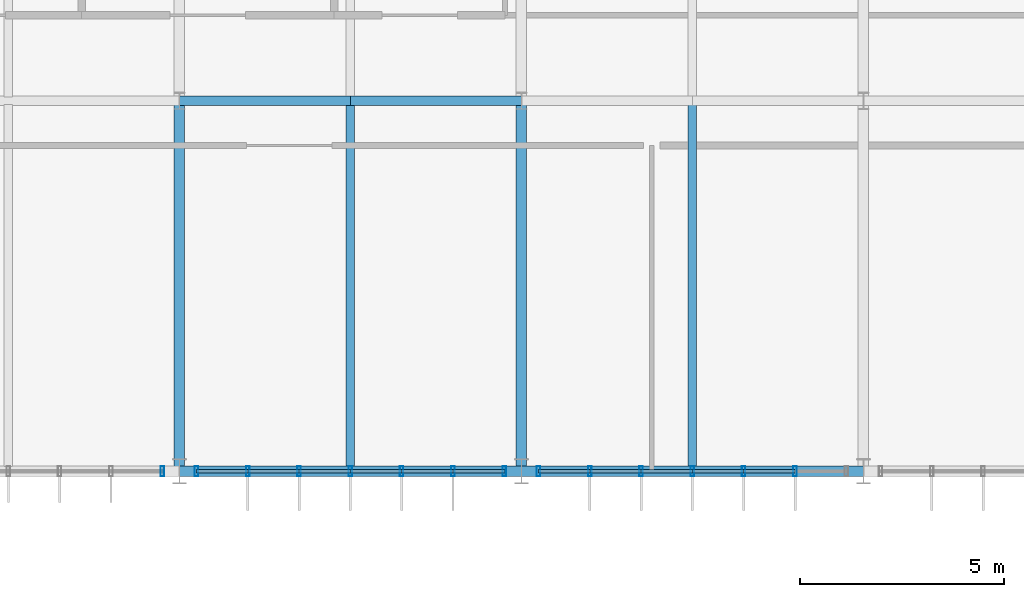
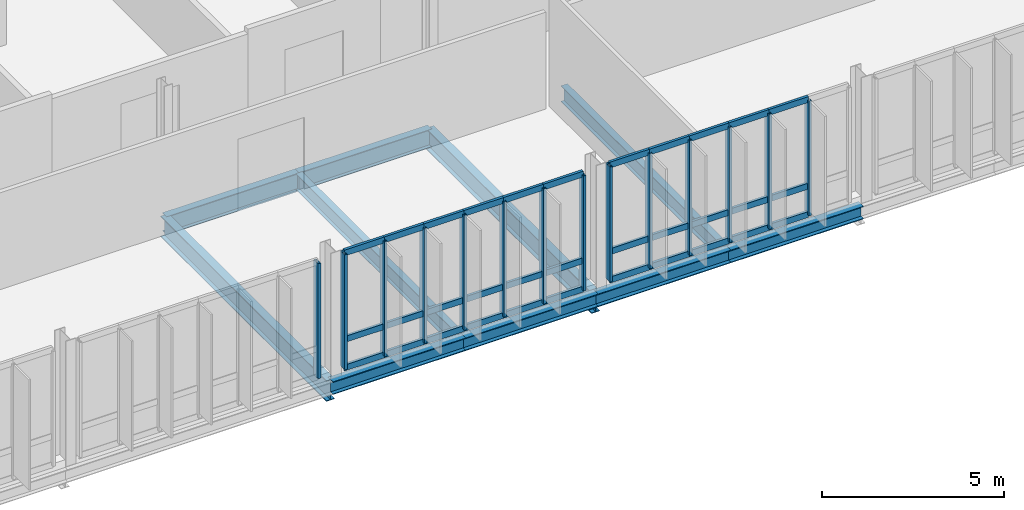
# One storey, part 35 of 107: 47 members, 10 beams, 3 elements without a shape of their own.
"""IFC4 building model written with IfcOpenShell, lengths in metres."""

from ifc_helpers import new_model, si_unit, derived_unit, direction, frame, origin, origin_2d, place, context, subcontext, project, spatial, hollow_rectangle, i_section, extrude, material, layer, layer_set, material_profile, profile_set, type_object, element, aggregate, save


model = new_model("IFC4")

# Units and contexts
model_context = context("Model", 3, precision=1e-05, world=origin(), true_north=direction((0.0, 1.0)))
body_context = subcontext(model_context, "Body", "Model", "MODEL_VIEW")
ifc_project = project(units=[si_unit("LENGTHUNIT", "METRE"), si_unit("AREAUNIT", "SQUARE_METRE"), si_unit("VOLUMEUNIT", "CUBIC_METRE"), si_unit("PLANEANGLEUNIT", "RADIAN"), si_unit("MASSUNIT", "GRAM", prefix="KILO"), derived_unit("THERMALTRANSMITTANCEUNIT", [(si_unit("MASSUNIT", "GRAM", prefix="KILO"), 1), (si_unit("TIMEUNIT", "SECOND"), -3), (si_unit("THERMODYNAMICTEMPERATUREUNIT", "KELVIN"), -1)])], contexts=[model_context])

# Site, building, storey
site_placement = place(None, origin())
site = spatial("IfcSite", under=ifc_project, at=site_placement, CompositionType="ELEMENT")
building_placement = place(site_placement, origin())
building = spatial("IfcBuilding", under=site, at=building_placement, Name="Makaiwela Harbour Ferry Terminal", CompositionType="ELEMENT")
storey_placement = place(building_placement, frame((0.0, 0.0, 9.60009765625)))
storey = spatial("IfcBuildingStorey", under=building, at=storey_placement, Name="L02", CompositionType="ELEMENT", Elevation=9.60009765625)

# Curtain wall, member
ifc_material_1 = material(Name="Marine anodised aluminium 6063-T6", Category="aluminium")
ifc_layer = layer(ifc_material_1, 0.199951171875)
ifc_layer_set = layer_set([ifc_layer], Name="Marine anodised aluminium 6063-T6")
curtain_wall_type = type_object("IfcCurtainWallType", Name="ENV-CW-09", PredefinedType="USERDEFINED", material=ifc_layer_set)
curtain_wall_1_placement = place(storey_placement, origin())
curtain_wall_1 = element("IfcCurtainWall", 1, at=curtain_wall_1_placement, inside=storey, type_object=curtain_wall_type, Name="Unitised Curtain Wall CWA-081", ObjectType="UNITIZED CURTAIN WALL", PredefinedType="USERDEFINED")
ifc_material_profile_1 = material_profile(ifc_material_1, hollow_rectangle(XDim=0.0849609375, YDim=0.25, WallThickness=0.0048828125, at=origin_2d()), Name="CWM-250X85")
ifc_profile_set_1 = profile_set([ifc_material_profile_1], Name="Marine anodised aluminium 6063-T6")
member_type_1 = type_object("IfcMemberType", Name="CW-MUL-250", PredefinedType="MULLION", material=ifc_profile_set_1)
member_1_placement = place(storey_placement, frame((96.179931640625, 49.39990234375, 0.0), z_axis=(0.0, 0.0, 1.0), x_axis=(1.0, 0.0, 0.0)))
member_1 = element("IfcMember", 2, at=member_1_placement, type_object=member_type_1, Name="Curtain Wall Mullion CWA-081-1", PredefinedType="MULLION", context=body_context, shape_type="SweptSolid", body=[
    extrude(hollow_rectangle(XDim=0.0849609375, YDim=0.25, WallThickness=0.0048828125, at=origin_2d()), origin(), (0.0, 0.0, 1.0), 3.849853515625),
])
aggregate(curtain_wall_1, [member_1])

# Curtain wall, members
curtain_wall_2_placement = place(storey_placement, origin())
curtain_wall_2 = element("IfcCurtainWall", 3, at=curtain_wall_2_placement, inside=storey, type_object=curtain_wall_type, Name="Unitised Curtain Wall CWA-083", ObjectType="UNITIZED CURTAIN WALL", PredefinedType="USERDEFINED")
member_2_placement = place(storey_placement, frame((104.580078125, 49.39990234375, 0.0), z_axis=(0.0, 0.0, 1.0), x_axis=(1.0, 0.0, 0.0)))
member_2 = element("IfcMember", 4, at=member_2_placement, type_object=member_type_1, Name="Curtain Wall Mullion CWA-083-1", PredefinedType="MULLION", context=body_context, shape_type="SweptSolid", body=[
    extrude(hollow_rectangle(XDim=0.0849609375, YDim=0.25, WallThickness=0.0048828125, at=origin_2d()), origin(), (0.0, 0.0, 1.0), 3.849853515625),
])
member_3_placement = place(storey_placement, frame((103.320068359375, 49.39990234375, 0.0), z_axis=(0.0, 0.0, 1.0), x_axis=(1.0, 0.0, 0.0)))
member_3 = element("IfcMember", 5, at=member_3_placement, type_object=member_type_1, Name="Curtain Wall Mullion CWA-083-2", PredefinedType="MULLION", context=body_context, shape_type="SweptSolid", body=[
    extrude(hollow_rectangle(XDim=0.0849609375, YDim=0.25, WallThickness=0.0048828125, at=origin_2d()), origin(), (0.0, 0.0, 1.0), 3.849853515625),
])
member_4_placement = place(storey_placement, frame((102.06005859375, 49.39990234375, 0.0), z_axis=(0.0, 0.0, 1.0), x_axis=(1.0, 0.0, 0.0)))
member_4 = element("IfcMember", 6, at=member_4_placement, type_object=member_type_1, Name="Curtain Wall Mullion CWA-083-3", PredefinedType="MULLION", context=body_context, shape_type="SweptSolid", body=[
    extrude(hollow_rectangle(XDim=0.0849609375, YDim=0.25, WallThickness=0.0048828125, at=origin_2d()), origin(), (0.0, 0.0, 1.0), 3.849853515625),
])
member_5_placement = place(storey_placement, frame((100.800048828125, 49.39990234375, 0.0), z_axis=(0.0, 0.0, 1.0), x_axis=(1.0, 0.0, 0.0)))
member_5 = element("IfcMember", 7, at=member_5_placement, type_object=member_type_1, Name="Curtain Wall Mullion CWA-083-4", PredefinedType="MULLION", context=body_context, shape_type="SweptSolid", body=[
    extrude(hollow_rectangle(XDim=0.0849609375, YDim=0.25, WallThickness=0.0048828125, at=origin_2d()), origin(), (0.0, 0.0, 1.0), 3.849853515625),
])
member_6_placement = place(storey_placement, frame((99.5400390625, 49.39990234375, 0.0), z_axis=(0.0, 0.0, 1.0), x_axis=(1.0, 0.0, 0.0)))
member_6 = element("IfcMember", 8, at=member_6_placement, type_object=member_type_1, Name="Curtain Wall Mullion CWA-083-5", PredefinedType="MULLION", context=body_context, shape_type="SweptSolid", body=[
    extrude(hollow_rectangle(XDim=0.0849609375, YDim=0.25, WallThickness=0.0048828125, at=origin_2d()), origin(), (0.0, 0.0, 1.0), 3.849853515625),
])
member_7_placement = place(storey_placement, frame((98.280029296875, 49.39990234375, 0.0), z_axis=(0.0, 0.0, 1.0), x_axis=(1.0, 0.0, 0.0)))
member_7 = element("IfcMember", 9, at=member_7_placement, type_object=member_type_1, Name="Curtain Wall Mullion CWA-083-6", PredefinedType="MULLION", context=body_context, shape_type="SweptSolid", body=[
    extrude(hollow_rectangle(XDim=0.0849609375, YDim=0.25, WallThickness=0.0048828125, at=origin_2d()), origin(), (0.0, 0.0, 1.0), 3.849853515625),
])
member_8_placement = place(storey_placement, frame((97.02001953125, 49.39990234375, 0.0), z_axis=(0.0, 0.0, 1.0), x_axis=(1.0, 0.0, 0.0)))
member_8 = element("IfcMember", 10, at=member_8_placement, type_object=member_type_1, Name="Curtain Wall Mullion CWA-083-7", PredefinedType="MULLION", context=body_context, shape_type="SweptSolid", body=[
    extrude(hollow_rectangle(XDim=0.0849609375, YDim=0.25, WallThickness=0.0048828125, at=origin_2d()), origin(), (0.0, 0.0, 1.0), 3.849853515625),
])

curtain_wall_3_placement = place(storey_placement, origin())
curtain_wall_3 = element("IfcCurtainWall", 11, at=curtain_wall_3_placement, inside=storey, type_object=curtain_wall_type, Name="Unitised Curtain Wall CWA-086", ObjectType="UNITIZED CURTAIN WALL", PredefinedType="USERDEFINED")
member_9_placement = place(storey_placement, frame((111.719970703125, 49.39990234375, 0.0), z_axis=(0.0, 0.0, 1.0), x_axis=(1.0, 0.0, 0.0)))
member_9 = element("IfcMember", 12, at=member_9_placement, type_object=member_type_1, Name="Curtain Wall Mullion CWA-086-2", PredefinedType="MULLION", context=body_context, shape_type="SweptSolid", body=[
    extrude(hollow_rectangle(XDim=0.0849609375, YDim=0.25, WallThickness=0.0048828125, at=origin_2d()), origin(), (0.0, 0.0, 1.0), 3.849853515625),
])
member_10_placement = place(storey_placement, frame((110.4599609375, 49.39990234375, 0.0), z_axis=(0.0, 0.0, 1.0), x_axis=(1.0, 0.0, 0.0)))
member_10 = element("IfcMember", 13, at=member_10_placement, type_object=member_type_1, Name="Curtain Wall Mullion CWA-086-3", PredefinedType="MULLION", context=body_context, shape_type="SweptSolid", body=[
    extrude(hollow_rectangle(XDim=0.0849609375, YDim=0.25, WallThickness=0.0048828125, at=origin_2d()), origin(), (0.0, 0.0, 1.0), 3.849853515625),
])
member_11_placement = place(storey_placement, frame((109.199951171875, 49.39990234375, 0.0), z_axis=(0.0, 0.0, 1.0), x_axis=(1.0, 0.0, 0.0)))
member_11 = element("IfcMember", 14, at=member_11_placement, type_object=member_type_1, Name="Curtain Wall Mullion CWA-086-4", PredefinedType="MULLION", context=body_context, shape_type="SweptSolid", body=[
    extrude(hollow_rectangle(XDim=0.0849609375, YDim=0.25, WallThickness=0.0048828125, at=origin_2d()), origin(), (0.0, 0.0, 1.0), 3.849853515625),
])
member_12_placement = place(storey_placement, frame((107.93994140625, 49.39990234375, 0.0), z_axis=(0.0, 0.0, 1.0), x_axis=(1.0, 0.0, 0.0)))
member_12 = element("IfcMember", 15, at=member_12_placement, type_object=member_type_1, Name="Curtain Wall Mullion CWA-086-5", PredefinedType="MULLION", context=body_context, shape_type="SweptSolid", body=[
    extrude(hollow_rectangle(XDim=0.0849609375, YDim=0.25, WallThickness=0.0048828125, at=origin_2d()), origin(), (0.0, 0.0, 1.0), 3.849853515625),
])
member_13_placement = place(storey_placement, frame((106.679931640625, 49.39990234375, 0.0), z_axis=(0.0, 0.0, 1.0), x_axis=(1.0, 0.0, 0.0)))
member_13 = element("IfcMember", 16, at=member_13_placement, type_object=member_type_1, Name="Curtain Wall Mullion CWA-086-6", PredefinedType="MULLION", context=body_context, shape_type="SweptSolid", body=[
    extrude(hollow_rectangle(XDim=0.0849609375, YDim=0.25, WallThickness=0.0048828125, at=origin_2d()), origin(), (0.0, 0.0, 1.0), 3.849853515625),
])
member_14_placement = place(storey_placement, frame((105.419921875, 49.39990234375, 0.0), z_axis=(0.0, 0.0, 1.0), x_axis=(1.0, 0.0, 0.0)))
member_14 = element("IfcMember", 17, at=member_14_placement, type_object=member_type_1, Name="Curtain Wall Mullion CWA-086-7", PredefinedType="MULLION", context=body_context, shape_type="SweptSolid", body=[
    extrude(hollow_rectangle(XDim=0.0849609375, YDim=0.25, WallThickness=0.0048828125, at=origin_2d()), origin(), (0.0, 0.0, 1.0), 3.849853515625),
])

# Member
ifc_material_profile_2 = material_profile(ifc_material_1, hollow_rectangle(XDim=0.0849609375, YDim=0.199951171875, WallThickness=0.0048828125, at=origin_2d()), Name="CWT-200X85")
ifc_profile_set_2 = profile_set([ifc_material_profile_2], Name="Marine anodised aluminium 6063-T6")
member_type_2 = type_object("IfcMemberType", Name="CW-TRN-200", PredefinedType="USERDEFINED", material=ifc_profile_set_2)
member_15_placement = place(storey_placement, frame((104.580078125, 49.39990234375, 0.0), z_axis=(-1.0, 0.0, 0.0), x_axis=(0.0, -1.0, 0.0)))
member_15 = element("IfcMember", 18, at=member_15_placement, type_object=member_type_2, Name="Curtain Wall Transom CWA-083-1-1", ObjectType="TRANSOM", PredefinedType="USERDEFINED", context=body_context, shape_type="SweptSolid", body=[
    extrude(hollow_rectangle(XDim=0.0849609375, YDim=0.199951171875, WallThickness=0.0048828125, at=origin_2d()), origin(), (0.0, 0.0, 1.0), 1.260009765625),
])

member_16_placement = place(storey_placement, frame((104.580078125, 49.39990234375, 0.949951171875), z_axis=(-1.0, 0.0, 0.0), x_axis=(0.0, -1.0, 0.0)))
member_16 = element("IfcMember", 19, at=member_16_placement, type_object=member_type_2, Name="Curtain Wall Transom CWA-083-1-2", ObjectType="TRANSOM", PredefinedType="USERDEFINED", context=body_context, shape_type="SweptSolid", body=[
    extrude(hollow_rectangle(XDim=0.0849609375, YDim=0.199951171875, WallThickness=0.0048828125, at=origin_2d()), origin(), (0.0, 0.0, 1.0), 1.260009765625),
])

member_17_placement = place(storey_placement, frame((104.580078125, 49.39990234375, 3.849853515625), z_axis=(-1.0, 0.0, 0.0), x_axis=(0.0, -1.0, 0.0)))
member_17 = element("IfcMember", 20, at=member_17_placement, type_object=member_type_2, Name="Curtain Wall Transom CWA-083-1-3", ObjectType="TRANSOM", PredefinedType="USERDEFINED", context=body_context, shape_type="SweptSolid", body=[
    extrude(hollow_rectangle(XDim=0.0849609375, YDim=0.199951171875, WallThickness=0.0048828125, at=origin_2d()), origin(), (0.0, 0.0, 1.0), 1.260009765625),
])

member_18_placement = place(storey_placement, frame((103.320068359375, 49.39990234375, 0.0), z_axis=(-1.0, 0.0, 0.0), x_axis=(0.0, -1.0, 0.0)))
member_18 = element("IfcMember", 21, at=member_18_placement, type_object=member_type_2, Name="Curtain Wall Transom CWA-083-2-1", ObjectType="TRANSOM", PredefinedType="USERDEFINED", context=body_context, shape_type="SweptSolid", body=[
    extrude(hollow_rectangle(XDim=0.0849609375, YDim=0.199951171875, WallThickness=0.0048828125, at=origin_2d()), origin(), (0.0, 0.0, 1.0), 1.260009765625),
])

member_19_placement = place(storey_placement, frame((103.320068359375, 49.39990234375, 0.949951171875), z_axis=(-1.0, 0.0, 0.0), x_axis=(0.0, -1.0, 0.0)))
member_19 = element("IfcMember", 22, at=member_19_placement, type_object=member_type_2, Name="Curtain Wall Transom CWA-083-2-2", ObjectType="TRANSOM", PredefinedType="USERDEFINED", context=body_context, shape_type="SweptSolid", body=[
    extrude(hollow_rectangle(XDim=0.0849609375, YDim=0.199951171875, WallThickness=0.0048828125, at=origin_2d()), origin(), (0.0, 0.0, 1.0), 1.260009765625),
])

member_20_placement = place(storey_placement, frame((103.320068359375, 49.39990234375, 3.849853515625), z_axis=(-1.0, 0.0, 0.0), x_axis=(0.0, -1.0, 0.0)))
member_20 = element("IfcMember", 23, at=member_20_placement, type_object=member_type_2, Name="Curtain Wall Transom CWA-083-2-3", ObjectType="TRANSOM", PredefinedType="USERDEFINED", context=body_context, shape_type="SweptSolid", body=[
    extrude(hollow_rectangle(XDim=0.0849609375, YDim=0.199951171875, WallThickness=0.0048828125, at=origin_2d()), origin(), (0.0, 0.0, 1.0), 1.260009765625),
])

member_21_placement = place(storey_placement, frame((102.06005859375, 49.39990234375, 0.0), z_axis=(-1.0, 0.0, 0.0), x_axis=(0.0, -1.0, 0.0)))
member_21 = element("IfcMember", 24, at=member_21_placement, type_object=member_type_2, Name="Curtain Wall Transom CWA-083-3-1", ObjectType="TRANSOM", PredefinedType="USERDEFINED", context=body_context, shape_type="SweptSolid", body=[
    extrude(hollow_rectangle(XDim=0.0849609375, YDim=0.199951171875, WallThickness=0.0048828125, at=origin_2d()), origin(), (0.0, 0.0, 1.0), 1.260009765625),
])

member_22_placement = place(storey_placement, frame((102.06005859375, 49.39990234375, 0.949951171875), z_axis=(-1.0, 0.0, 0.0), x_axis=(0.0, -1.0, 0.0)))
member_22 = element("IfcMember", 25, at=member_22_placement, type_object=member_type_2, Name="Curtain Wall Transom CWA-083-3-2", ObjectType="TRANSOM", PredefinedType="USERDEFINED", context=body_context, shape_type="SweptSolid", body=[
    extrude(hollow_rectangle(XDim=0.0849609375, YDim=0.199951171875, WallThickness=0.0048828125, at=origin_2d()), origin(), (0.0, 0.0, 1.0), 1.260009765625),
])

member_23_placement = place(storey_placement, frame((102.06005859375, 49.39990234375, 3.849853515625), z_axis=(-1.0, 0.0, 0.0), x_axis=(0.0, -1.0, 0.0)))
member_23 = element("IfcMember", 26, at=member_23_placement, type_object=member_type_2, Name="Curtain Wall Transom CWA-083-3-3", ObjectType="TRANSOM", PredefinedType="USERDEFINED", context=body_context, shape_type="SweptSolid", body=[
    extrude(hollow_rectangle(XDim=0.0849609375, YDim=0.199951171875, WallThickness=0.0048828125, at=origin_2d()), origin(), (0.0, 0.0, 1.0), 1.260009765625),
])

member_24_placement = place(storey_placement, frame((100.800048828125, 49.39990234375, 0.0), z_axis=(-1.0, 0.0, 0.0), x_axis=(0.0, -1.0, 0.0)))
member_24 = element("IfcMember", 27, at=member_24_placement, type_object=member_type_2, Name="Curtain Wall Transom CWA-083-4-1", ObjectType="TRANSOM", PredefinedType="USERDEFINED", context=body_context, shape_type="SweptSolid", body=[
    extrude(hollow_rectangle(XDim=0.0849609375, YDim=0.199951171875, WallThickness=0.0048828125, at=origin_2d()), origin(), (0.0, 0.0, 1.0), 1.260009765625),
])

member_25_placement = place(storey_placement, frame((100.800048828125, 49.39990234375, 0.949951171875), z_axis=(-1.0, 0.0, 0.0), x_axis=(0.0, -1.0, 0.0)))
member_25 = element("IfcMember", 28, at=member_25_placement, type_object=member_type_2, Name="Curtain Wall Transom CWA-083-4-2", ObjectType="TRANSOM", PredefinedType="USERDEFINED", context=body_context, shape_type="SweptSolid", body=[
    extrude(hollow_rectangle(XDim=0.0849609375, YDim=0.199951171875, WallThickness=0.0048828125, at=origin_2d()), origin(), (0.0, 0.0, 1.0), 1.260009765625),
])

member_26_placement = place(storey_placement, frame((100.800048828125, 49.39990234375, 3.849853515625), z_axis=(-1.0, 0.0, 0.0), x_axis=(0.0, -1.0, 0.0)))
member_26 = element("IfcMember", 29, at=member_26_placement, type_object=member_type_2, Name="Curtain Wall Transom CWA-083-4-3", ObjectType="TRANSOM", PredefinedType="USERDEFINED", context=body_context, shape_type="SweptSolid", body=[
    extrude(hollow_rectangle(XDim=0.0849609375, YDim=0.199951171875, WallThickness=0.0048828125, at=origin_2d()), origin(), (0.0, 0.0, 1.0), 1.260009765625),
])

member_27_placement = place(storey_placement, frame((99.5400390625, 49.39990234375, 0.0), z_axis=(-1.0, 0.0, 0.0), x_axis=(0.0, -1.0, 0.0)))
member_27 = element("IfcMember", 30, at=member_27_placement, type_object=member_type_2, Name="Curtain Wall Transom CWA-083-5-1", ObjectType="TRANSOM", PredefinedType="USERDEFINED", context=body_context, shape_type="SweptSolid", body=[
    extrude(hollow_rectangle(XDim=0.0849609375, YDim=0.199951171875, WallThickness=0.0048828125, at=origin_2d()), origin(), (0.0, 0.0, 1.0), 1.260009765625),
])

member_28_placement = place(storey_placement, frame((99.5400390625, 49.39990234375, 0.949951171875), z_axis=(-1.0, 0.0, 0.0), x_axis=(0.0, -1.0, 0.0)))
member_28 = element("IfcMember", 31, at=member_28_placement, type_object=member_type_2, Name="Curtain Wall Transom CWA-083-5-2", ObjectType="TRANSOM", PredefinedType="USERDEFINED", context=body_context, shape_type="SweptSolid", body=[
    extrude(hollow_rectangle(XDim=0.0849609375, YDim=0.199951171875, WallThickness=0.0048828125, at=origin_2d()), origin(), (0.0, 0.0, 1.0), 1.260009765625),
])

member_29_placement = place(storey_placement, frame((99.5400390625, 49.39990234375, 3.849853515625), z_axis=(-1.0, 0.0, 0.0), x_axis=(0.0, -1.0, 0.0)))
member_29 = element("IfcMember", 32, at=member_29_placement, type_object=member_type_2, Name="Curtain Wall Transom CWA-083-5-3", ObjectType="TRANSOM", PredefinedType="USERDEFINED", context=body_context, shape_type="SweptSolid", body=[
    extrude(hollow_rectangle(XDim=0.0849609375, YDim=0.199951171875, WallThickness=0.0048828125, at=origin_2d()), origin(), (0.0, 0.0, 1.0), 1.260009765625),
])

member_30_placement = place(storey_placement, frame((98.280029296875, 49.39990234375, 0.0), z_axis=(-1.0, 0.0, 0.0), x_axis=(0.0, -1.0, 0.0)))
member_30 = element("IfcMember", 33, at=member_30_placement, type_object=member_type_2, Name="Curtain Wall Transom CWA-083-6-1", ObjectType="TRANSOM", PredefinedType="USERDEFINED", context=body_context, shape_type="SweptSolid", body=[
    extrude(hollow_rectangle(XDim=0.0849609375, YDim=0.199951171875, WallThickness=0.0048828125, at=origin_2d()), origin(), (0.0, 0.0, 1.0), 1.260009765625),
])

member_31_placement = place(storey_placement, frame((98.280029296875, 49.39990234375, 0.949951171875), z_axis=(-1.0, 0.0, 0.0), x_axis=(0.0, -1.0, 0.0)))
member_31 = element("IfcMember", 34, at=member_31_placement, type_object=member_type_2, Name="Curtain Wall Transom CWA-083-6-2", ObjectType="TRANSOM", PredefinedType="USERDEFINED", context=body_context, shape_type="SweptSolid", body=[
    extrude(hollow_rectangle(XDim=0.0849609375, YDim=0.199951171875, WallThickness=0.0048828125, at=origin_2d()), origin(), (0.0, 0.0, 1.0), 1.260009765625),
])

member_32_placement = place(storey_placement, frame((98.280029296875, 49.39990234375, 3.849853515625), z_axis=(-1.0, 0.0, 0.0), x_axis=(0.0, -1.0, 0.0)))
member_32 = element("IfcMember", 35, at=member_32_placement, type_object=member_type_2, Name="Curtain Wall Transom CWA-083-6-3", ObjectType="TRANSOM", PredefinedType="USERDEFINED", context=body_context, shape_type="SweptSolid", body=[
    extrude(hollow_rectangle(XDim=0.0849609375, YDim=0.199951171875, WallThickness=0.0048828125, at=origin_2d()), origin(), (0.0, 0.0, 1.0), 1.260009765625),
])

aggregate(curtain_wall_2, [member_2, member_3, member_4, member_5, member_6, member_7, member_8, member_15, member_16, member_17, member_18, member_19, member_20, member_21, member_22, member_23, member_24, member_25, member_26, member_27, member_28, member_29, member_30, member_31, member_32])

member_33_placement = place(storey_placement, frame((111.719970703125, 49.39990234375, 0.0), z_axis=(-1.0, 0.0, 0.0), x_axis=(0.0, -1.0, 0.0)))
member_33 = element("IfcMember", 36, at=member_33_placement, type_object=member_type_2, Name="Curtain Wall Transom CWA-086-2-1", ObjectType="TRANSOM", PredefinedType="USERDEFINED", context=body_context, shape_type="SweptSolid", body=[
    extrude(hollow_rectangle(XDim=0.0849609375, YDim=0.199951171875, WallThickness=0.0048828125, at=origin_2d()), origin(), (0.0, 0.0, 1.0), 1.260009765625),
])

member_34_placement = place(storey_placement, frame((111.719970703125, 49.39990234375, 0.949951171875), z_axis=(-1.0, 0.0, 0.0), x_axis=(0.0, -1.0, 0.0)))
member_34 = element("IfcMember", 37, at=member_34_placement, type_object=member_type_2, Name="Curtain Wall Transom CWA-086-2-2", ObjectType="TRANSOM", PredefinedType="USERDEFINED", context=body_context, shape_type="SweptSolid", body=[
    extrude(hollow_rectangle(XDim=0.0849609375, YDim=0.199951171875, WallThickness=0.0048828125, at=origin_2d()), origin(), (0.0, 0.0, 1.0), 1.260009765625),
])

member_35_placement = place(storey_placement, frame((111.719970703125, 49.39990234375, 3.849853515625), z_axis=(-1.0, 0.0, 0.0), x_axis=(0.0, -1.0, 0.0)))
member_35 = element("IfcMember", 38, at=member_35_placement, type_object=member_type_2, Name="Curtain Wall Transom CWA-086-2-3", ObjectType="TRANSOM", PredefinedType="USERDEFINED", context=body_context, shape_type="SweptSolid", body=[
    extrude(hollow_rectangle(XDim=0.0849609375, YDim=0.199951171875, WallThickness=0.0048828125, at=origin_2d()), origin(), (0.0, 0.0, 1.0), 1.260009765625),
])

member_36_placement = place(storey_placement, frame((110.4599609375, 49.39990234375, 0.0), z_axis=(-1.0, 0.0, 0.0), x_axis=(0.0, -1.0, 0.0)))
member_36 = element("IfcMember", 39, at=member_36_placement, type_object=member_type_2, Name="Curtain Wall Transom CWA-086-3-1", ObjectType="TRANSOM", PredefinedType="USERDEFINED", context=body_context, shape_type="SweptSolid", body=[
    extrude(hollow_rectangle(XDim=0.0849609375, YDim=0.199951171875, WallThickness=0.0048828125, at=origin_2d()), origin(), (0.0, 0.0, 1.0), 1.260009765625),
])

member_37_placement = place(storey_placement, frame((110.4599609375, 49.39990234375, 0.949951171875), z_axis=(-1.0, 0.0, 0.0), x_axis=(0.0, -1.0, 0.0)))
member_37 = element("IfcMember", 40, at=member_37_placement, type_object=member_type_2, Name="Curtain Wall Transom CWA-086-3-2", ObjectType="TRANSOM", PredefinedType="USERDEFINED", context=body_context, shape_type="SweptSolid", body=[
    extrude(hollow_rectangle(XDim=0.0849609375, YDim=0.199951171875, WallThickness=0.0048828125, at=origin_2d()), origin(), (0.0, 0.0, 1.0), 1.260009765625),
])

member_38_placement = place(storey_placement, frame((110.4599609375, 49.39990234375, 3.849853515625), z_axis=(-1.0, 0.0, 0.0), x_axis=(0.0, -1.0, 0.0)))
member_38 = element("IfcMember", 41, at=member_38_placement, type_object=member_type_2, Name="Curtain Wall Transom CWA-086-3-3", ObjectType="TRANSOM", PredefinedType="USERDEFINED", context=body_context, shape_type="SweptSolid", body=[
    extrude(hollow_rectangle(XDim=0.0849609375, YDim=0.199951171875, WallThickness=0.0048828125, at=origin_2d()), origin(), (0.0, 0.0, 1.0), 1.260009765625),
])

member_39_placement = place(storey_placement, frame((109.199951171875, 49.39990234375, 0.0), z_axis=(-1.0, 0.0, 0.0), x_axis=(0.0, -1.0, 0.0)))
member_39 = element("IfcMember", 42, at=member_39_placement, type_object=member_type_2, Name="Curtain Wall Transom CWA-086-4-1", ObjectType="TRANSOM", PredefinedType="USERDEFINED", context=body_context, shape_type="SweptSolid", body=[
    extrude(hollow_rectangle(XDim=0.0849609375, YDim=0.199951171875, WallThickness=0.0048828125, at=origin_2d()), origin(), (0.0, 0.0, 1.0), 1.260009765625),
])

member_40_placement = place(storey_placement, frame((109.199951171875, 49.39990234375, 0.949951171875), z_axis=(-1.0, 0.0, 0.0), x_axis=(0.0, -1.0, 0.0)))
member_40 = element("IfcMember", 43, at=member_40_placement, type_object=member_type_2, Name="Curtain Wall Transom CWA-086-4-2", ObjectType="TRANSOM", PredefinedType="USERDEFINED", context=body_context, shape_type="SweptSolid", body=[
    extrude(hollow_rectangle(XDim=0.0849609375, YDim=0.199951171875, WallThickness=0.0048828125, at=origin_2d()), origin(), (0.0, 0.0, 1.0), 1.260009765625),
])

member_41_placement = place(storey_placement, frame((109.199951171875, 49.39990234375, 3.849853515625), z_axis=(-1.0, 0.0, 0.0), x_axis=(0.0, -1.0, 0.0)))
member_41 = element("IfcMember", 44, at=member_41_placement, type_object=member_type_2, Name="Curtain Wall Transom CWA-086-4-3", ObjectType="TRANSOM", PredefinedType="USERDEFINED", context=body_context, shape_type="SweptSolid", body=[
    extrude(hollow_rectangle(XDim=0.0849609375, YDim=0.199951171875, WallThickness=0.0048828125, at=origin_2d()), origin(), (0.0, 0.0, 1.0), 1.260009765625),
])

member_42_placement = place(storey_placement, frame((107.93994140625, 49.39990234375, 0.0), z_axis=(-1.0, 0.0, 0.0), x_axis=(0.0, -1.0, 0.0)))
member_42 = element("IfcMember", 45, at=member_42_placement, type_object=member_type_2, Name="Curtain Wall Transom CWA-086-5-1", ObjectType="TRANSOM", PredefinedType="USERDEFINED", context=body_context, shape_type="SweptSolid", body=[
    extrude(hollow_rectangle(XDim=0.0849609375, YDim=0.199951171875, WallThickness=0.0048828125, at=origin_2d()), origin(), (0.0, 0.0, 1.0), 1.260009765625),
])

member_43_placement = place(storey_placement, frame((107.93994140625, 49.39990234375, 0.949951171875), z_axis=(-1.0, 0.0, 0.0), x_axis=(0.0, -1.0, 0.0)))
member_43 = element("IfcMember", 46, at=member_43_placement, type_object=member_type_2, Name="Curtain Wall Transom CWA-086-5-2", ObjectType="TRANSOM", PredefinedType="USERDEFINED", context=body_context, shape_type="SweptSolid", body=[
    extrude(hollow_rectangle(XDim=0.0849609375, YDim=0.199951171875, WallThickness=0.0048828125, at=origin_2d()), origin(), (0.0, 0.0, 1.0), 1.260009765625),
])

member_44_placement = place(storey_placement, frame((107.93994140625, 49.39990234375, 3.849853515625), z_axis=(-1.0, 0.0, 0.0), x_axis=(0.0, -1.0, 0.0)))
member_44 = element("IfcMember", 47, at=member_44_placement, type_object=member_type_2, Name="Curtain Wall Transom CWA-086-5-3", ObjectType="TRANSOM", PredefinedType="USERDEFINED", context=body_context, shape_type="SweptSolid", body=[
    extrude(hollow_rectangle(XDim=0.0849609375, YDim=0.199951171875, WallThickness=0.0048828125, at=origin_2d()), origin(), (0.0, 0.0, 1.0), 1.260009765625),
])

member_45_placement = place(storey_placement, frame((106.679931640625, 49.39990234375, 0.0), z_axis=(-1.0, 0.0, 0.0), x_axis=(0.0, -1.0, 0.0)))
member_45 = element("IfcMember", 48, at=member_45_placement, type_object=member_type_2, Name="Curtain Wall Transom CWA-086-6-1", ObjectType="TRANSOM", PredefinedType="USERDEFINED", context=body_context, shape_type="SweptSolid", body=[
    extrude(hollow_rectangle(XDim=0.0849609375, YDim=0.199951171875, WallThickness=0.0048828125, at=origin_2d()), origin(), (0.0, 0.0, 1.0), 1.260009765625),
])

member_46_placement = place(storey_placement, frame((106.679931640625, 49.39990234375, 0.949951171875), z_axis=(-1.0, 0.0, 0.0), x_axis=(0.0, -1.0, 0.0)))
member_46 = element("IfcMember", 49, at=member_46_placement, type_object=member_type_2, Name="Curtain Wall Transom CWA-086-6-2", ObjectType="TRANSOM", PredefinedType="USERDEFINED", context=body_context, shape_type="SweptSolid", body=[
    extrude(hollow_rectangle(XDim=0.0849609375, YDim=0.199951171875, WallThickness=0.0048828125, at=origin_2d()), origin(), (0.0, 0.0, 1.0), 1.260009765625),
])

member_47_placement = place(storey_placement, frame((106.679931640625, 49.39990234375, 3.849853515625), z_axis=(-1.0, 0.0, 0.0), x_axis=(0.0, -1.0, 0.0)))
member_47 = element("IfcMember", 50, at=member_47_placement, type_object=member_type_2, Name="Curtain Wall Transom CWA-086-6-3", ObjectType="TRANSOM", PredefinedType="USERDEFINED", context=body_context, shape_type="SweptSolid", body=[
    extrude(hollow_rectangle(XDim=0.0849609375, YDim=0.199951171875, WallThickness=0.0048828125, at=origin_2d()), origin(), (0.0, 0.0, 1.0), 1.260009765625),
])

aggregate(curtain_wall_3, [member_9, member_10, member_11, member_12, member_13, member_14, member_33, member_34, member_35, member_36, member_37, member_38, member_39, member_40, member_41, member_42, member_43, member_44, member_45, member_46, member_47])

# Beams
ifc_material_2 = material(Name="Steel ASTM A992 Grade 50", Category="steel")
ifc_material_profile_3 = material_profile(ifc_material_2, i_section(OverallWidth=0.2099609375, OverallDepth=0.537109375, WebThickness=0.010986328125, FlangeThickness=0.017333984375, at=origin_2d()), Name="W21X68")
ifc_profile_set_3 = profile_set([ifc_material_profile_3], Name="Steel ASTM A992 Grade 50")
beam_type_1 = type_object("IfcBeamType", Name="STR-BM-W21X68", PredefinedType="BEAM", material=ifc_profile_set_3)
for number, where, z_axis, x_axis, name in (
    (51, (100.800048828125, 49.514404296875, -0.528564453125), (0.0, 1.0, 0.0), (-1.0, 0.0, 0.0), "Secondary floor beam 1496"),
    (52, (109.199951171875, 49.514404296875, -0.528564453125), (0.0, 1.0, 0.0), (-1.0, 0.0, 0.0), "Secondary floor beam 1503"),
):
    element("IfcBeam", number, at=place(storey_placement, frame(where, z_axis=z_axis, x_axis=x_axis)), inside=storey, type_object=beam_type_1, Name=name, PredefinedType="BEAM", context=body_context, shape_type="SweptSolid", body=[
        extrude(i_section(OverallWidth=0.2099609375, OverallDepth=0.537109375, WebThickness=0.010986328125, FlangeThickness=0.017333984375, at=origin_2d()), origin(), (0.0, 0.0, 1.0), 8.88916015625),
    ])
ifc_material_profile_4 = material_profile(ifc_material_2, i_section(OverallWidth=0.22900390625, OverallDepth=0.612060546875, WebThickness=0.011962890625, FlangeThickness=0.01953125, at=origin_2d()), Name="W24X84")
ifc_profile_set_4 = profile_set([ifc_material_profile_4], Name="Steel ASTM A992 Grade 50")
beam_type_2 = type_object("IfcBeamType", Name="STR-GRD-W24X84", PredefinedType="USERDEFINED", material=ifc_profile_set_4)
for number, where, z_axis, x_axis, name in (
    (53, (96.60009765625, 58.5, -0.566162109375), (1.0, 0.0, 0.0), (0.0, 1.0, 0.0), "Primary X girder 1297"),
    (54, (100.800048828125, 58.5, -0.566162109375), (1.0, 0.0, 0.0), (0.0, 1.0, 0.0), "Primary X girder 1298"),
):
    element("IfcBeam", number, at=place(storey_placement, frame(where, z_axis=z_axis, x_axis=x_axis)), inside=storey, type_object=beam_type_2, Name=name, ObjectType="GIRDER", PredefinedType="USERDEFINED", context=body_context, shape_type="SweptSolid", body=[
        extrude(i_section(OverallWidth=0.22900390625, OverallDepth=0.612060546875, WebThickness=0.011962890625, FlangeThickness=0.01953125, at=origin_2d()), origin(), (0.0, 0.0, 1.0), 4.199951171875),
    ])
ifc_material_profile_5 = material_profile(ifc_material_2, i_section(OverallWidth=0.256103515625, OverallDepth=0.693115234375, WebThickness=0.014404296875, FlangeThickness=0.023681640625, at=origin_2d()), Name="W27X114")
ifc_profile_set_5 = profile_set([ifc_material_profile_5], Name="Steel ASTM A992 Grade 50")
beam_type_3 = type_object("IfcBeamType", Name="STR-GRD-W27X114", PredefinedType="USERDEFINED", material=ifc_profile_set_5)
for number, where, z_axis, x_axis, name in (
    (55, (96.60009765625, 49.39990234375, -0.606689453125), (0.0, 1.0, 0.0), (-1.0, 0.0, 0.0), "Primary Y girder 1391"),
    (56, (105.0, 49.39990234375, -0.606689453125), (0.0, 1.0, 0.0), (-1.0, 0.0, 0.0), "Primary Y girder 1398"),
):
    element("IfcBeam", number, at=place(storey_placement, frame(where, z_axis=z_axis, x_axis=x_axis)), inside=storey, type_object=beam_type_3, Name=name, ObjectType="GIRDER", PredefinedType="USERDEFINED", context=body_context, shape_type="SweptSolid", body=[
        extrude(i_section(OverallWidth=0.256103515625, OverallDepth=0.693115234375, WebThickness=0.014404296875, FlangeThickness=0.023681640625, at=origin_2d()), origin(), (0.0, 0.0, 1.0), 9.10009765625),
    ])
ifc_material_profile_6 = material_profile(ifc_material_2, i_section(OverallWidth=0.264892578125, OverallDepth=0.430908203125, WebThickness=0.014892578125, FlangeThickness=0.02490234375, at=origin_2d()), Name="W16X100")
ifc_profile_set_6 = profile_set([ifc_material_profile_6], Name="Steel ASTM A992 Grade 50")
beam_type_4 = type_object("IfcBeamType", Name="STR-SPN-W16X100", PredefinedType="SPANDREL", material=ifc_profile_set_6)
for number, where, z_axis, x_axis, name in (
    (57, (96.60009765625, 49.39990234375, -0.4755859375), (1.0, 0.0, 0.0), (0.0, 1.0, 0.0), "Primary X girder 1279"),
    (58, (100.800048828125, 49.39990234375, -0.4755859375), (1.0, 0.0, 0.0), (0.0, 1.0, 0.0), "Primary X girder 1280"),
    (59, (105.0, 49.39990234375, -0.4755859375), (1.0, 0.0, 0.0), (0.0, 1.0, 0.0), "Primary X girder 1281"),
    (60, (109.199951171875, 49.39990234375, -0.4755859375), (1.0, 0.0, 0.0), (0.0, 1.0, 0.0), "Primary X girder 1282"),
):
    element("IfcBeam", number, at=place(storey_placement, frame(where, z_axis=z_axis, x_axis=x_axis)), inside=storey, type_object=beam_type_4, Name=name, PredefinedType="SPANDREL", context=body_context, shape_type="SweptSolid", body=[
        extrude(i_section(OverallWidth=0.264892578125, OverallDepth=0.430908203125, WebThickness=0.014892578125, FlangeThickness=0.02490234375, at=origin_2d()), origin(), (0.0, 0.0, 1.0), 4.199951171875),
    ])

save(model, "model.ifc")
